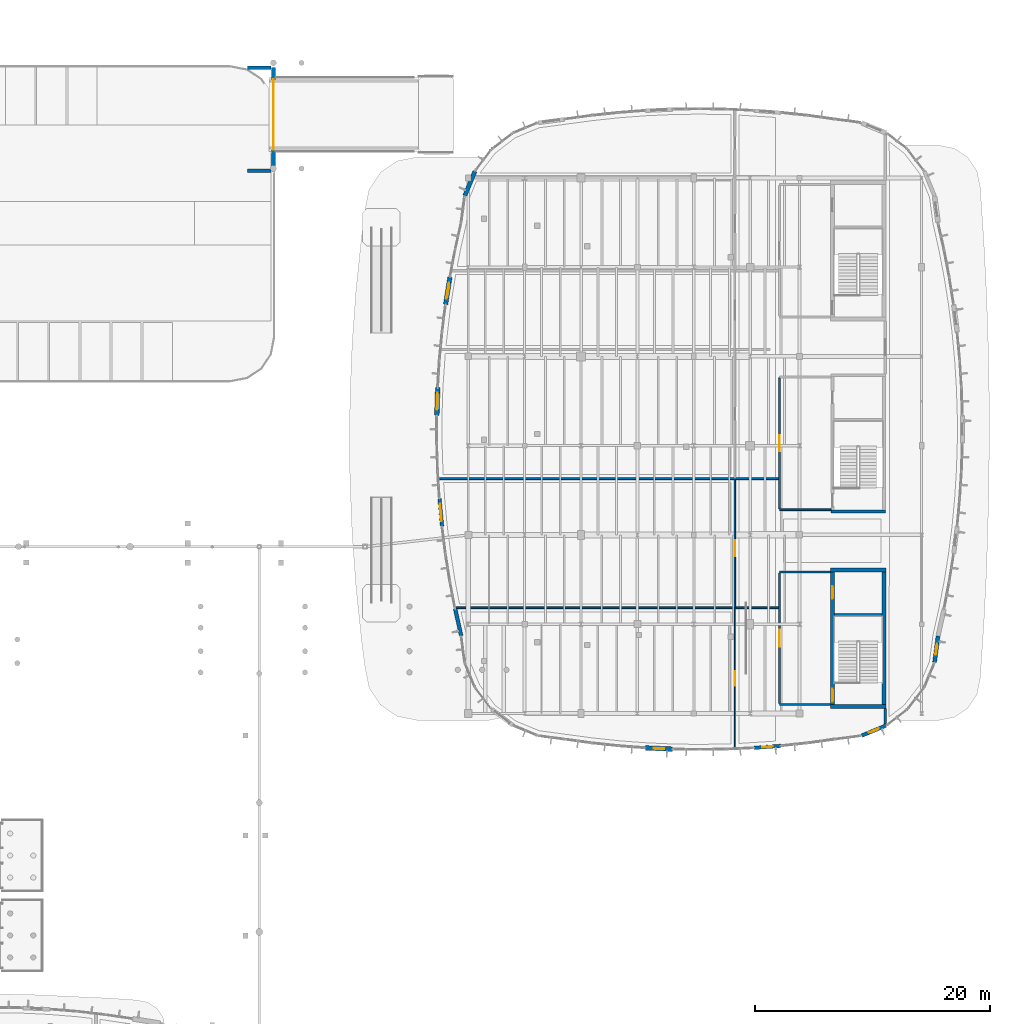
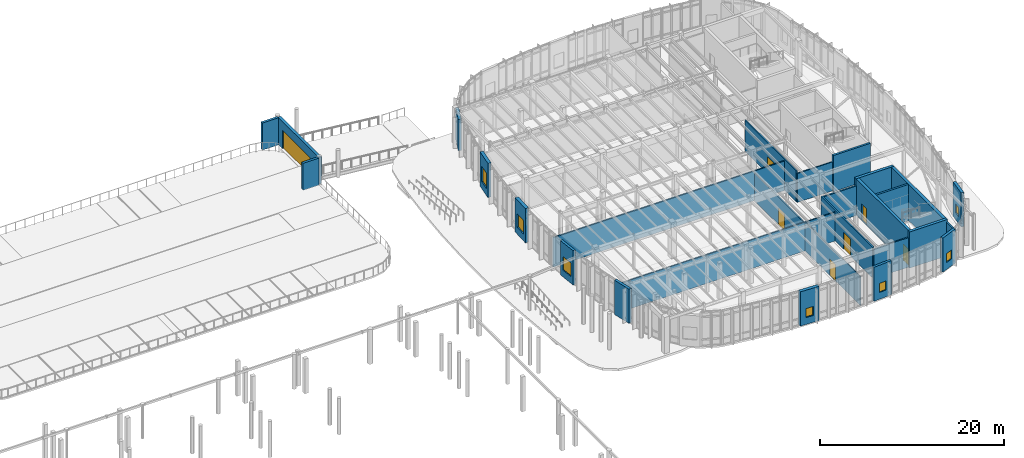
# One storey, part 93 of 120: 28 walls, 7 doors, 7 windows, 14 openings.
"""IFC4 building model written with IfcOpenShell, lengths in metres."""

import ifcopenshell
import ifcopenshell.guid

model = None  # the IFC model being written
_history = None  # IfcOwnerHistory: only IFC2X3 demands one
_inside = {}  # id of a spatial element -> (the spatial element, [elements in it])
_under = {}  # id of a project, library or spatial element -> (it, [spatial elements below it])
_declared = {}  # id of a project -> (the project, [libraries it declares])
_typed = {}  # id of a type object -> (the type object, [elements of that type])
_made_of = {}  # id of a material, layer set ... -> (it, [elements and type objects made of it])


def new_model(schema):
    """Start an empty IFC model of exactly this schema.

    Asked for "IFC4X3", IfcOpenShell would pick the latest addendum, in which some entities
    have other attributes; the version numbers below select the first issue.
    IFC2X3 requires an IfcOwnerHistory on every rooted entity: one is made here for all.
    """
    global model, _history
    if schema == "IFC4X3":
        model = ifcopenshell.file(schema_version=(4, 3, 0, 0))
    else:
        model = ifcopenshell.file(schema=schema)
    _inside.clear()
    _under.clear()
    _declared.clear()
    _typed.clear()
    _made_of.clear()
    _history = None
    if model.schema == "IFC2X3":
        org = make("IfcOrganization", Name="unknown")
        user = make(
            "IfcPersonAndOrganization",
            ThePerson=make("IfcPerson", FamilyName="unknown"),
            TheOrganization=org,
        )
        app = make(
            "IfcApplication",
            ApplicationDeveloper=org,
            Version="unknown",
            ApplicationFullName="unknown",
            ApplicationIdentifier="unknown",
        )
        _history = make(
            "IfcOwnerHistory",
            OwningUser=user,
            OwningApplication=app,
            ChangeAction="ADDED",
            CreationDate=0,
        )
    return model


def make(cls, **values):
    """One entity of the class cls with the attributes given. An attribute that is None is left unset."""
    return model.create_entity(
        cls, **{name: value for name, value in values.items() if value is not None}
    )


def rooted(cls, **values):
    """An entity with a GlobalId (a new one), such as an element, a storey or a relation."""
    return make(cls, GlobalId=ifcopenshell.guid.new(), OwnerHistory=_history, **values)


def si_unit(unit_type, name, prefix=None):
    """IfcSIUnit, for example si_unit("LENGTHUNIT", "METRE", prefix="MILLI")."""
    return make("IfcSIUnit", UnitType=unit_type, Prefix=prefix, Name=name)


def assignment(units):
    """IfcUnitAssignment: the units of a project."""
    return None if units is None else make("IfcUnitAssignment", Units=units)


def point(xyz):
    """IfcCartesianPoint."""
    return None if xyz is None else make("IfcCartesianPoint", Coordinates=xyz)


def direction(xyz):
    """IfcDirection."""
    return None if xyz is None else make("IfcDirection", DirectionRatios=xyz)


def frame(location, z_axis=None, x_axis=None):
    """IfcAxis2Placement3D, a coordinate frame: its origin and axes. An axis left out is left unset."""
    return make(
        "IfcAxis2Placement3D",
        Location=point(location),
        Axis=direction(z_axis),
        RefDirection=direction(x_axis),
    )


def frame_2d(location, x_axis=None):
    """IfcAxis2Placement2D, a coordinate frame in the plane: its origin and x axis."""
    return make(
        "IfcAxis2Placement2D", Location=point(location), RefDirection=direction(x_axis)
    )


def origin():
    """The frame at (0, 0, 0) with its axes left unset."""
    return frame((0.0, 0.0, 0.0))


def place(relative_to, where):
    """IfcLocalPlacement: puts the frame where relative to a parent placement (None: the world)."""
    return make(
        "IfcLocalPlacement", PlacementRelTo=relative_to, RelativePlacement=where
    )


def context(
    kind, dimensions, precision=None, world=None, true_north=None, identifier=None
):
    """IfcGeometricRepresentationContext, for example the 3D "Model" context."""
    return make(
        "IfcGeometricRepresentationContext",
        ContextIdentifier=identifier,
        ContextType=kind,
        CoordinateSpaceDimension=dimensions,
        Precision=precision,
        WorldCoordinateSystem=world,
        TrueNorth=true_north,
    )


def subcontext(parent, identifier, kind, view, scale=None):
    """IfcGeometricRepresentationSubContext, for example "Body" below "Model"."""
    return make(
        "IfcGeometricRepresentationSubContext",
        ContextIdentifier=identifier,
        ContextType=kind,
        ParentContext=parent,
        TargetScale=scale,
        TargetView=view,
    )


def project(units=None, contexts=None):
    """IfcProject with its units and contexts."""
    return rooted(
        "IfcProject",
        Name="project",
        RepresentationContexts=contexts,
        UnitsInContext=assignment(units),
    )


def spatial(cls, under=None, at=None, **own):
    """A site, building, storey or space (cls), placed at a placement, below another one or the project."""
    s = rooted(cls, ObjectPlacement=at, **own)
    if under is not None:
        _under.setdefault(under.id(), (under, []))[1].append(s)
    return s


def profile(cls, at=None, kind="AREA", **sizes):
    """A parametric profile (cls). Its sizes go by their IFC names, for example OverallWidth=200.0."""
    return make(cls, ProfileType=kind, Position=at, **sizes)


def rectangle(**sizes):
    """IfcRectangleProfileDef."""
    return profile("IfcRectangleProfileDef", **sizes)


def extrude(swept, where, along, depth):
    """IfcExtrudedAreaSolid: the profile swept, set in the frame where, extruded along a direction by depth."""
    return make(
        "IfcExtrudedAreaSolid",
        SweptArea=swept,
        Position=where,
        ExtrudedDirection=direction(along),
        Depth=depth,
    )


def shape(context_of_items, identifier, shape_type, items):
    """IfcShapeRepresentation: the items that make up one representation, for example the "Body"."""
    return make(
        "IfcShapeRepresentation",
        ContextOfItems=context_of_items,
        RepresentationIdentifier=identifier,
        RepresentationType=shape_type,
        Items=items,
    )


def material(Name=None, Category=None):
    """IfcMaterial."""
    return make("IfcMaterial", Name=Name, Category=Category)


def layer(
    of_material, thickness, ventilated=None, Name=None, Category=None, Priority=None
):
    """IfcMaterialLayer: one layer of a wall or slab, of a material (None: an air gap)."""
    return make(
        "IfcMaterialLayer",
        Material=of_material,
        LayerThickness=thickness,
        IsVentilated=ventilated,
        Name=Name,
        Category=Category,
        Priority=Priority,
    )


def layer_set(layers, Name=None):
    """IfcMaterialLayerSet."""
    return make("IfcMaterialLayerSet", MaterialLayers=layers, LayerSetName=Name)


def made_of(thing, what):
    """Note that an element or type object is made of a material, layer set ...; save() writes the relation."""
    if what is not None:
        _made_of.setdefault(what.id(), (what, []))[1].append(thing)
    return thing


def type_object(cls, material=None, **own):
    """A type object (cls), such as IfcWallType, which elements share."""
    return made_of(rooted(cls, **own), material)


def element(
    cls,
    number,
    at=None,
    inside=None,
    cuts=None,
    type_object=None,
    material=None,
    context=None,
    identifier="Body",
    shape_type=None,
    held_by="IfcProductDefinitionShape",
    body=None,
    shapes=None,
    **own,
):
    """One element of the class cls, such as IfcWall. Its Tag is "e" and its number.

    at: its placement. inside: the storey or other place that contains it. cuts: it is an
    opening in that element (IfcRelVoidsElement). A single representation is given by context,
    identifier, shape_type and body (its items); several are given by shapes. held_by: the class
    of the entity that holds the representations. save() writes the other relations.
    """
    e = rooted(cls, Tag="e%d" % number, ObjectPlacement=at, **own)
    if body is not None:
        shapes = [shape(context, identifier, shape_type, body)]
    if shapes is not None:
        e.Representation = make(held_by, Representations=shapes)
    if inside is not None:
        _inside.setdefault(inside.id(), (inside, []))[1].append(e)
    if cuts is not None:
        rooted(
            "IfcRelVoidsElement", RelatingBuildingElement=cuts, RelatedOpeningElement=e
        )
    if type_object is not None:
        _typed.setdefault(type_object.id(), (type_object, []))[1].append(e)
    return made_of(e, material)


def fill(opening, filler):
    """IfcRelFillsElement: the door or window that sits in an opening."""
    return rooted(
        "IfcRelFillsElement",
        RelatingOpeningElement=opening,
        RelatedBuildingElement=filler,
    )


def aggregate(whole, parts):
    """IfcRelAggregates: a whole, such as a stair, and the parts it consists of."""
    return rooted("IfcRelAggregates", RelatingObject=whole, RelatedObjects=parts)


def save(model, path):
    """Write the relations noted so far, then the file.

    IfcRelAggregates (storeys below a building ...), IfcRelContainedInSpatialStructure (elements
    in a storey), IfcRelDefinesByType, IfcRelAssociatesMaterial and IfcRelDeclares: one each for
    every whole, place, type object, material and project.
    """
    for whole, parts in _under.values():
        aggregate(whole, parts)
    for where, things in _inside.values():
        rooted(
            "IfcRelContainedInSpatialStructure",
            RelatedElements=things,
            RelatingStructure=where,
        )
    for kind, things in _typed.values():
        rooted("IfcRelDefinesByType", RelatedObjects=things, RelatingType=kind)
    for what, things in _made_of.values():
        rooted("IfcRelAssociatesMaterial", RelatedObjects=things, RelatingMaterial=what)
    for by, libraries in _declared.values():
        rooted("IfcRelDeclares", RelatingContext=by, RelatedDefinitions=libraries)
    model.write(path)


model = new_model("IFC4")

# Units and contexts
model_context = context("Model", 3, precision=1e-05, world=origin(), true_north=direction((0.0, 1.0)))
body_context = subcontext(model_context, "Body", "Model", "MODEL_VIEW")
ifc_project = project(units=[si_unit("LENGTHUNIT", "METRE"), si_unit("AREAUNIT", "SQUARE_METRE"), si_unit("VOLUMEUNIT", "CUBIC_METRE"), si_unit("PLANEANGLEUNIT", "RADIAN"), si_unit("MASSUNIT", "GRAM", prefix="KILO")], contexts=[model_context])

# Site, building, storey
site_placement = place(None, origin())
site = spatial("IfcSite", under=ifc_project, at=site_placement, CompositionType="ELEMENT")
building_placement = place(site_placement, origin())
building = spatial("IfcBuilding", under=site, at=building_placement, Name="Corveleigh Park Community Centre", CompositionType="ELEMENT")
storey_placement = place(building_placement, origin())
storey = spatial("IfcBuildingStorey", under=building, at=storey_placement, Name="L00", CompositionType="ELEMENT", Elevation=0.0)

# Wall, opening, window
ifc_material_1 = material(Name="Precast concrete C40/50", Category="concrete")
ifc_layer_1 = layer(ifc_material_1, 0.300048828125, Name="Precast concrete C40/50", Category="concrete")
ifc_layer_set_1 = layer_set([ifc_layer_1], Name="Precast concrete C40/50")
wall_type_1 = type_object("IfcWallType", Name="WL-EXT-300", PredefinedType="STANDARD", material=ifc_layer_set_1)
wall_1_placement = place(storey_placement, frame((156.407958984375, 55.839111328125, 0.0), z_axis=(0.0, 0.0, 1.0), x_axis=(-0.997140376226, -0.075571622314, 0.0)))
wall_1 = element("IfcWall", 1, at=wall_1_placement, inside=storey, type_object=wall_type_1, Name="V4 L00 Precast Facade Wall", PredefinedType="STANDARD", context=body_context, shape_type="SweptSolid", body=[
    extrude(rectangle(XDim=2.29052734375, YDim=0.300048828125, at=frame_2d((1.145263671875, 0.0))), origin(), (0.0, 0.0, 1.0), 4.511962890625),
])
opening_1_placement = place(wall_1_placement, frame((0.696044921875, 0.0, 0.89990234375)))
opening_1 = element("IfcOpeningElement", 2, at=opening_1_placement, cuts=wall_1, Name="Opening W01", PredefinedType="OPENING", context=body_context, shape_type="SweptSolid", body=[
    extrude(rectangle(XDim=0.89990234375, YDim=1.199951171875, at=frame_2d((0.449951171875, 0.60009765625))), frame((0.0, 0.159912109375, 0.0), z_axis=(0.0, -1.0, 0.0), x_axis=(1.0, 0.0, 0.0)), (0.0, 0.0, 1.0), 0.320068359375),
])
ifc_material_2 = material(Name="Low-E double glazing", Category="glass")
window_type_1 = type_object("IfcWindowType", Name="WIN-EXT-0900x1200", PartitioningType="SINGLE_PANEL", PredefinedType="WINDOW", material=ifc_material_2)
window_1_placement = place(opening_1_placement, origin())
window_1 = element("IfcWindow", 3, at=window_1_placement, inside=storey, type_object=window_type_1, Name="V4 L00 Window 22", OverallHeight=1.199951171875, OverallWidth=0.89990234375, PartitioningType="SINGLE_PANEL", PredefinedType="WINDOW", context=body_context, shape_type="SweptSolid", body=[
    extrude(rectangle(XDim=0.89990234375, YDim=1.199951171875, at=frame_2d((0.449951171875, 0.60009765625))), frame((0.0, 0.030029296875, 0.0), z_axis=(0.0, -1.0, 0.0), x_axis=(1.0, 0.0, 0.0)), (0.0, 0.0, 1.0), 0.06005859375),
])
fill(opening_1, window_1)

wall_2_placement = place(storey_placement, frame((127.568115234375, 74.535888671875, 0.0), z_axis=(0.0, 0.0, 1.0), x_axis=(-0.094103241966, 0.995562443974, 0.0)))
wall_2 = element("IfcWall", 4, at=wall_2_placement, inside=storey, type_object=wall_type_1, Name="V4 L00 Precast Facade Wall", PredefinedType="STANDARD", context=body_context, shape_type="SweptSolid", body=[
    extrude(rectangle(XDim=2.3505859375, YDim=0.300048828125, at=frame_2d((1.17529296875, 0.0))), origin(), (0.0, 0.0, 1.0), 4.537109375),
])
opening_2_placement = place(wall_2_placement, frame((0.425048828125, 0.0, 0.89990234375)))
opening_2 = element("IfcOpeningElement", 5, at=opening_2_placement, cuts=wall_2, Name="Opening W11", PredefinedType="OPENING", context=body_context, shape_type="SweptSolid", body=[
    extrude(rectangle(XDim=1.5, YDim=1.800048828125, at=frame_2d((0.75, 0.89990234375))), frame((0.0, 0.159912109375, 0.0), z_axis=(0.0, -1.0, 0.0), x_axis=(1.0, 0.0, 0.0)), (0.0, 0.0, 1.0), 0.320068359375),
])
window_type_2 = type_object("IfcWindowType", Name="WIN-EXT-1500x1800", PartitioningType="SINGLE_PANEL", PredefinedType="WINDOW", material=ifc_material_2)
window_2_placement = place(opening_2_placement, origin())
window_2 = element("IfcWindow", 6, at=window_2_placement, inside=storey, type_object=window_type_2, Name="V4 L00 Window 35", OverallHeight=1.800048828125, OverallWidth=1.5, PartitioningType="SINGLE_PANEL", PredefinedType="WINDOW", context=body_context, shape_type="SweptSolid", body=[
    extrude(rectangle(XDim=1.5, YDim=1.800048828125, at=frame_2d((0.75, 0.89990234375))), frame((0.0, 0.030029296875, 0.0), z_axis=(0.0, -1.0, 0.0), x_axis=(1.0, 0.0, 0.0)), (0.0, 0.0, 1.0), 0.06005859375),
])
fill(opening_2, window_2)

# Walls
for number, where, z_axis, x_axis, name in (
    (7, (111.0, 113.60009765625, 0.0), (0.0, 0.0, 1.0), (1.0, 0.0, 0.0), "Car Park Portal North Return Wall"),
    (8, (113.0, 104.800048828125, 0.0), (0.0, 0.0, 1.0), (-1.0, 0.0, 0.0), "Car Park Portal South Return Wall"),
):
    element("IfcWall", number, at=place(storey_placement, frame(where, z_axis=z_axis, x_axis=x_axis)), inside=storey, type_object=wall_type_1, Name=name, PredefinedType="STANDARD", context=body_context, shape_type="SweptSolid", body=[
        extrude(rectangle(XDim=2.0, YDim=0.300048828125, at=frame_2d((1.0, 0.0))), origin(), (0.0, 0.0, 1.0), 3.580078125),
    ])

# Wall, opening, window
ifc_layer_2 = layer(ifc_material_1, 0.320068359375, Name="Precast concrete C40/50", Category="concrete")
ifc_layer_set_2 = layer_set([ifc_layer_2], Name="Precast concrete C40/50")
wall_type_2 = type_object("IfcWallType", Name="WL-EXT-320", PredefinedType="STANDARD", material=ifc_layer_set_2)
wall_3_placement = place(storey_placement, frame((165.3701171875, 57.56689453125, 0.0), z_axis=(0.0, 0.0, 1.0), x_axis=(-0.923742113572, -0.3830150227, 0.0)))
wall_3 = element("IfcWall", 9, at=wall_3_placement, inside=storey, type_object=wall_type_2, Name="V4 L00 Precast Facade Wall", PredefinedType="STANDARD", context=body_context, shape_type="SweptSolid", body=[
    extrude(rectangle(XDim=2.232177734375, YDim=0.320068359375, at=frame_2d((1.1162109375, 0.0))), origin(), (0.0, 0.0, 1.0), 4.511962890625),
])
opening_3_placement = place(wall_3_placement, frame((0.666015625, 0.0, 0.89990234375)))
opening_3 = element("IfcOpeningElement", 10, at=opening_3_placement, cuts=wall_3, Name="Opening W01", PredefinedType="OPENING", context=body_context, shape_type="SweptSolid", body=[
    extrude(rectangle(XDim=0.89990234375, YDim=1.199951171875, at=frame_2d((0.449951171875, 0.60009765625))), frame((0.0, 0.169921875, 0.0), z_axis=(0.0, -1.0, 0.0), x_axis=(1.0, 0.0, 0.0)), (0.0, 0.0, 1.0), 0.340087890625),
])
window_3_placement = place(opening_3_placement, origin())
window_3 = element("IfcWindow", 11, at=window_3_placement, inside=storey, type_object=window_type_1, Name="V4 L00 Window 23", OverallHeight=1.199951171875, OverallWidth=0.89990234375, PartitioningType="SINGLE_PANEL", PredefinedType="WINDOW", context=body_context, shape_type="SweptSolid", body=[
    extrude(rectangle(XDim=0.89990234375, YDim=1.199951171875, at=frame_2d((0.449951171875, 0.60009765625))), frame((0.0, 0.030029296875, 0.0), z_axis=(0.0, -1.0, 0.0), x_axis=(1.0, 0.0, 0.0)), (0.0, 0.0, 1.0), 0.06005859375),
])
fill(opening_3, window_3)

# Wall
wall_4_placement = place(storey_placement, frame((129.197021484375, 65.215087890625, 0.0), z_axis=(0.0, 0.0, 1.0), x_axis=(-0.218860234328, 0.975756218443, 0.0)))
element("IfcWall", 12, at=wall_4_placement, inside=storey, type_object=wall_type_2, Name="V4 L00 Precast Facade Wall", PredefinedType="STANDARD", context=body_context, shape_type="SweptSolid", body=[
    extrude(rectangle(XDim=2.34375, YDim=0.320068359375, at=frame_2d((1.171875, 0.0))), origin(), (0.0, 0.0, 1.0), 4.537109375),
])

# Wall, opening, window
ifc_layer_3 = layer(ifc_material_1, 0.340087890625, Name="Precast concrete C40/50", Category="concrete")
ifc_layer_set_3 = layer_set([ifc_layer_3], Name="Precast concrete C40/50")
wall_type_3 = type_object("IfcWallType", Name="WL-EXT-340", PredefinedType="STANDARD", material=ifc_layer_set_3)
wall_5_placement = place(storey_placement, frame((169.798095703125, 65.18505859375, 0.0), z_axis=(0.0, 0.0, 1.0), x_axis=(-0.130735158706, -0.99141732801, 0.0)))
wall_5 = element("IfcWall", 13, at=wall_5_placement, inside=storey, type_object=wall_type_3, Name="V4 L00 Precast Facade Wall", PredefinedType="STANDARD", context=body_context, shape_type="SweptSolid", body=[
    extrude(rectangle(XDim=2.250244140625, YDim=0.340087890625, at=frame_2d((1.125, 0.0))), origin(), (0.0, 0.0, 1.0), 4.527099609375),
])
opening_4_placement = place(wall_5_placement, frame((0.675048828125, 0.0, 0.89990234375)))
opening_4 = element("IfcOpeningElement", 14, at=opening_4_placement, cuts=wall_5, Name="Opening W01", PredefinedType="OPENING", context=body_context, shape_type="SweptSolid", body=[
    extrude(rectangle(XDim=0.89990234375, YDim=1.199951171875, at=frame_2d((0.449951171875, 0.60009765625))), frame((0.0, 0.179931640625, 0.0), z_axis=(0.0, -1.0, 0.0), x_axis=(1.0, 0.0, 0.0)), (0.0, 0.0, 1.0), 0.360107421875),
])
window_4_placement = place(opening_4_placement, origin())
window_4 = element("IfcWindow", 15, at=window_4_placement, inside=storey, type_object=window_type_1, Name="V4 L00 Window 24", OverallHeight=1.199951171875, OverallWidth=0.89990234375, PartitioningType="SINGLE_PANEL", PredefinedType="WINDOW", context=body_context, shape_type="SweptSolid", body=[
    extrude(rectangle(XDim=0.89990234375, YDim=1.199951171875, at=frame_2d((0.449951171875, 0.60009765625))), frame((0.0, 0.030029296875, 0.0), z_axis=(0.0, -1.0, 0.0), x_axis=(1.0, 0.0, 0.0)), (0.0, 0.0, 1.0), 0.06005859375),
])
fill(opening_4, window_4)

# Wall, opening, door
wall_6_placement = place(storey_placement, frame((113.199951171875, 113.60009765625, 0.0), z_axis=(0.0, 0.0, 1.0), x_axis=(0.0, -1.0, 0.0)))
wall_6 = element("IfcWall", 16, at=wall_6_placement, inside=storey, type_object=wall_type_3, Name="Car Park Street Entrance Portal Wall", PredefinedType="STANDARD", context=body_context, shape_type="SweptSolid", body=[
    extrude(rectangle(XDim=8.800048828125, YDim=0.340087890625, at=frame_2d((4.39990234375, 0.0))), origin(), (0.0, 0.0, 1.0), 3.580078125),
])
opening_5_placement = place(wall_6_placement, frame((1.0, 0.0, 0.0)))
opening_5 = element("IfcOpeningElement", 17, at=opening_5_placement, cuts=wall_6, Name="Opening VG01", PredefinedType="OPENING", context=body_context, shape_type="SweptSolid", body=[
    extrude(rectangle(XDim=6.0, YDim=2.39990234375, at=frame_2d((3.0, 1.199951171875))), frame((0.0, 0.179931640625, 0.0), z_axis=(0.0, -1.0, 0.0), x_axis=(1.0, 0.0, 0.0)), (0.0, 0.0, 1.0), 0.360107421875),
])
ifc_material_3 = material(Name="Powder-coated aluminium glazed door", Category="aluminium")
door_type_1 = type_object("IfcDoorType", Name="DR-GAT-6000x2400", OperationType="SLIDING_TO_LEFT", PredefinedType="DOOR", material=ifc_material_3)
door_1_placement = place(opening_5_placement, origin())
door_1 = element("IfcDoor", 18, at=door_1_placement, inside=storey, type_object=door_type_1, Name="Car Park Vehicle Entrance Gate", OperationType="SLIDING_TO_LEFT", OverallHeight=2.39990234375, OverallWidth=6.0, PredefinedType="DOOR", context=body_context, shape_type="SweptSolid", body=[
    extrude(rectangle(XDim=6.0, YDim=2.39990234375, at=frame_2d((3.0, 1.199951171875))), frame((0.0, 0.02490234375, 0.0), z_axis=(0.0, -1.0, 0.0), x_axis=(1.0, 0.0, 0.0)), (0.0, 0.0, 1.0), 0.050048828125),
])
fill(opening_5, door_1)

# Wall
ifc_layer_4 = layer(ifc_material_1, 0.360107421875, Name="Precast concrete C40/50", Category="concrete")
ifc_layer_set_4 = layer_set([ifc_layer_4], Name="Precast concrete C40/50")
wall_type_4 = type_object("IfcWallType", Name="WL-EXT-360", PredefinedType="STANDARD", material=ifc_layer_set_4)
wall_7_placement = place(storey_placement, frame((129.511962890625, 102.7080078125, 0.0), z_axis=(0.0, 0.0, 1.0), x_axis=(0.3830150227, 0.923742113572, 0.0)))
element("IfcWall", 19, at=wall_7_placement, inside=storey, type_object=wall_type_4, Name="V4 L00 Precast Facade Wall", PredefinedType="STANDARD", context=body_context, shape_type="SweptSolid", body=[
    extrude(rectangle(XDim=2.232177734375, YDim=0.360107421875, at=frame_2d((1.1162109375, 0.0))), origin(), (0.0, 0.0, 1.0), 4.125),
])

# Wall, opening, window
ifc_layer_5 = layer(ifc_material_1, 0.3798828125, Name="Precast concrete C40/50", Category="concrete")
ifc_layer_set_5 = layer_set([ifc_layer_5], Name="Precast concrete C40/50")
wall_type_5 = type_object("IfcWallType", Name="WL-EXT-380", PredefinedType="STANDARD", material=ifc_layer_set_5)
wall_8_placement = place(storey_placement, frame((127.867919921875, 93.431884765625, 0.0), z_axis=(0.0, 0.0, 1.0), x_axis=(0.157066693282, 0.987587998034, 0.0)))
wall_8 = element("IfcWall", 20, at=wall_8_placement, inside=storey, type_object=wall_type_5, Name="V4 L00 Precast Facade Wall", PredefinedType="STANDARD", context=body_context, shape_type="SweptSolid", body=[
    extrude(rectangle(XDim=2.35009765625, YDim=0.3798828125, at=frame_2d((1.175048828125, 0.0))), origin(), (0.0, 0.0, 1.0), 4.537109375),
])
opening_6_placement = place(wall_8_placement, frame((0.47509765625, 0.0, 0.89990234375)))
opening_6 = element("IfcOpeningElement", 21, at=opening_6_placement, cuts=wall_8, Name="Opening W09", PredefinedType="OPENING", context=body_context, shape_type="SweptSolid", body=[
    extrude(rectangle(XDim=1.39990234375, YDim=2.050048828125, at=frame_2d((0.699951171875, 1.02490234375))), frame((0.0, 0.199951171875, 0.0), z_axis=(0.0, -1.0, 0.0), x_axis=(1.0, 0.0, 0.0)), (0.0, 0.0, 1.0), 0.39990234375),
])
window_type_3 = type_object("IfcWindowType", Name="WIN-EXT-1400x2050", PartitioningType="SINGLE_PANEL", PredefinedType="WINDOW", material=ifc_material_2)
window_5_placement = place(opening_6_placement, origin())
window_5 = element("IfcWindow", 22, at=window_5_placement, inside=storey, type_object=window_type_3, Name="V4 L00 Window 33", OverallHeight=2.050048828125, OverallWidth=1.39990234375, PartitioningType="SINGLE_PANEL", PredefinedType="WINDOW", context=body_context, shape_type="SweptSolid", body=[
    extrude(rectangle(XDim=1.39990234375, YDim=2.050048828125, at=frame_2d((0.699951171875, 1.02490234375))), frame((0.0, 0.030029296875, 0.0), z_axis=(0.0, -1.0, 0.0), x_axis=(1.0, 0.0, 0.0)), (0.0, 0.0, 1.0), 0.06005859375),
])
fill(opening_6, window_5)

ifc_material_4 = material(Name="Concrete C40/50", Category="concrete")
ifc_layer_6 = layer(ifc_material_4, 0.39990234375, Name="Concrete C40/50", Category="concrete")
ifc_layer_set_6 = layer_set([ifc_layer_6], Name="Concrete C40/50")
wall_type_6 = type_object("IfcWallType", Name="WL-EXT-400", PredefinedType="STANDARD", material=ifc_layer_set_6)
wall_9_placement = place(storey_placement, frame((147.181884765625, 55.56005859375, 0.0), z_axis=(0.0, 0.0, 1.0), x_axis=(-0.998948885856, 0.045838013117, 0.0)))
wall_9 = element("IfcWall", 23, at=wall_9_placement, inside=storey, type_object=wall_type_6, Name="V4 L00 Precast Facade Wall", PredefinedType="STANDARD", context=body_context, shape_type="SweptSolid", body=[
    extrude(rectangle(XDim=2.290283203125, YDim=0.39990234375, at=frame_2d((1.14501953125, 0.0))), origin(), (0.0, 0.0, 1.0), 4.537109375),
])
opening_7_placement = place(wall_9_placement, frame((0.695068359375, 0.0, 0.89990234375)))
opening_7 = element("IfcOpeningElement", 24, at=opening_7_placement, cuts=wall_9, Name="Opening W01", PredefinedType="OPENING", context=body_context, shape_type="SweptSolid", body=[
    extrude(rectangle(XDim=0.89990234375, YDim=1.199951171875, at=frame_2d((0.449951171875, 0.60009765625))), frame((0.0, 0.2099609375, 0.0), z_axis=(0.0, -1.0, 0.0), x_axis=(1.0, 0.0, 0.0)), (0.0, 0.0, 1.0), 0.419921875),
])
window_6_placement = place(opening_7_placement, origin())
window_6 = element("IfcWindow", 25, at=window_6_placement, inside=storey, type_object=window_type_1, Name="V4 L00 Window 21", OverallHeight=1.199951171875, OverallWidth=0.89990234375, PartitioningType="SINGLE_PANEL", PredefinedType="WINDOW", context=body_context, shape_type="SweptSolid", body=[
    extrude(rectangle(XDim=0.89990234375, YDim=1.199951171875, at=frame_2d((0.449951171875, 0.60009765625))), frame((0.0, 0.030029296875, 0.0), z_axis=(0.0, -1.0, 0.0), x_axis=(1.0, 0.0, 0.0)), (0.0, 0.0, 1.0), 0.06005859375),
])
fill(opening_7, window_6)

wall_10_placement = place(storey_placement, frame((127.1220703125, 83.992919921875, 0.0), z_axis=(0.0, 0.0, 1.0), x_axis=(0.031876582845, 0.999491812606, 0.0)))
wall_10 = element("IfcWall", 26, at=wall_10_placement, inside=storey, type_object=wall_type_6, Name="V4 L00 Precast Facade Wall", PredefinedType="STANDARD", context=body_context, shape_type="SweptSolid", body=[
    extrude(rectangle(XDim=2.351318359375, YDim=0.39990234375, at=frame_2d((1.17578125, 0.0))), origin(), (0.0, 0.0, 1.0), 4.537109375),
])
opening_8_placement = place(wall_10_placement, frame((0.450927734375, 0.0, 0.89990234375)))
opening_8 = element("IfcOpeningElement", 27, at=opening_8_placement, cuts=wall_10, Name="Opening W10", PredefinedType="OPENING", context=body_context, shape_type="SweptSolid", body=[
    extrude(rectangle(XDim=1.449951171875, YDim=1.800048828125, at=frame_2d((0.72509765625, 0.89990234375))), frame((0.0, 0.2099609375, 0.0), z_axis=(0.0, -1.0, 0.0), x_axis=(1.0, 0.0, 0.0)), (0.0, 0.0, 1.0), 0.419921875),
])
window_type_4 = type_object("IfcWindowType", Name="WIN-EXT-1450x1800", PartitioningType="SINGLE_PANEL", PredefinedType="WINDOW", material=ifc_material_2)
window_7_placement = place(opening_8_placement, origin())
window_7 = element("IfcWindow", 28, at=window_7_placement, inside=storey, type_object=window_type_4, Name="V4 L00 Window 34", OverallHeight=1.800048828125, OverallWidth=1.449951171875, PartitioningType="SINGLE_PANEL", PredefinedType="WINDOW", context=body_context, shape_type="SweptSolid", body=[
    extrude(rectangle(XDim=1.449951171875, YDim=1.800048828125, at=frame_2d((0.72509765625, 0.89990234375))), frame((0.0, 0.030029296875, 0.0), z_axis=(0.0, -1.0, 0.0), x_axis=(1.0, 0.0, 0.0)), (0.0, 0.0, 1.0), 0.06005859375),
])
fill(opening_8, window_7)

# Wall, opening, door
ifc_material_5 = material(Name="Gypsum acoustic stud partition", Category="gypsum")
ifc_layer_7 = layer(ifc_material_5, 0.10009765625, Name="Gypsum acoustic stud partition", Category="gypsum")
ifc_layer_set_7 = layer_set([ifc_layer_7], Name="Gypsum acoustic stud partition")
wall_type_7 = type_object("IfcWallType", Name="WL-PRT-100", PredefinedType="PARTITIONING", material=ifc_layer_set_7)
wall_11_placement = place(storey_placement, frame((152.5, 67.60009765625, 0.0), z_axis=(0.0, 0.0, 1.0), x_axis=(0.0, -1.0, 0.0)))
wall_11 = element("IfcWall", 29, at=wall_11_placement, inside=storey, type_object=wall_type_7, Name="Early Years Babies Playroom corridor wall", PredefinedType="PARTITIONING", context=body_context, shape_type="SweptSolid", body=[
    extrude(rectangle(XDim=12.009033203125, YDim=0.10009765625, at=frame_2d((6.00439453125, 0.0))), origin(), (0.0, 0.0, 1.0), 3.8349609375),
])
opening_9_placement = place(wall_11_placement, frame((5.384033203125, 0.0, 0.0)))
opening_9 = element("IfcOpeningElement", 30, at=opening_9_placement, cuts=wall_11, Name="Opening ID04", PredefinedType="OPENING", context=body_context, shape_type="SweptSolid", body=[
    extrude(rectangle(XDim=1.239990234375, YDim=2.159912109375, at=frame_2d((0.6201171875, 1.080078125))), frame((0.0, 0.06005859375, 0.0), z_axis=(0.0, -1.0, 0.0), x_axis=(1.0, 0.0, 0.0)), (0.0, 0.0, 1.0), 0.1201171875),
])
ifc_material_6 = material(Name="Hardwood acoustic door leaf", Category="wood")
door_type_2 = type_object("IfcDoorType", Name="DR-INT-1240x2160", OperationType="NOTDEFINED", PredefinedType="DOOR", material=ifc_material_6)
door_2_placement = place(opening_9_placement, origin())
door_2 = element("IfcDoor", 31, at=door_2_placement, inside=storey, type_object=door_type_2, Name="Early Years Babies Playroom door", OperationType="SINGLE_SWING_LEFT", OverallHeight=2.159912109375, OverallWidth=1.239990234375, PredefinedType="DOOR", context=body_context, shape_type="SweptSolid", body=[
    extrude(rectangle(XDim=1.239990234375, YDim=2.159912109375, at=frame_2d((0.6201171875, 1.080078125))), frame((0.0, 0.02490234375, 0.0), z_axis=(0.0, -1.0, 0.0), x_axis=(1.0, 0.0, 0.0)), (0.0, 0.0, 1.0), 0.050048828125),
])
fill(opening_9, door_2)

ifc_layer_8 = layer(ifc_material_5, 0.114990234375, Name="Gypsum acoustic stud partition", Category="gypsum")
ifc_layer_set_8 = layer_set([ifc_layer_8], Name="Gypsum acoustic stud partition")
wall_type_8 = type_object("IfcWallType", Name="WL-PRT-115", PredefinedType="PARTITIONING", material=ifc_layer_set_8)
wall_12_placement = place(storey_placement, frame((152.5, 78.60009765625, 0.0), z_axis=(0.0, 0.0, 1.0), x_axis=(0.0, -1.0, 0.0)))
wall_12 = element("IfcWall", 32, at=wall_12_placement, inside=storey, type_object=wall_type_8, Name="Early Years Toddlers Playroom corridor wall", PredefinedType="PARTITIONING", context=body_context, shape_type="SweptSolid", body=[
    extrude(rectangle(XDim=11.0, YDim=0.114990234375, at=frame_2d((5.5, 0.0))), origin(), (0.0, 0.0, 1.0), 3.614990234375),
])
opening_10_placement = place(wall_12_placement, frame((5.25, 0.0, 0.0)))
opening_10 = element("IfcOpeningElement", 33, at=opening_10_placement, cuts=wall_12, Name="Opening FD02", PredefinedType="OPENING", context=body_context, shape_type="SweptSolid", body=[
    extrude(rectangle(XDim=1.3798828125, YDim=2.199951171875, at=frame_2d((0.68994140625, 1.10009765625))), frame((0.0, 0.0673828125, 0.0), z_axis=(0.0, -1.0, 0.0), x_axis=(1.0, 0.0, 0.0)), (0.0, 0.0, 1.0), 0.135009765625),
])
door_type_3 = type_object("IfcDoorType", Name="DR-FIR-1380x2200", OperationType="DOUBLE_DOOR_SINGLE_SWING", PredefinedType="DOOR", material=ifc_material_6)
door_3_placement = place(opening_10_placement, origin())
door_3 = element("IfcDoor", 34, at=door_3_placement, inside=storey, type_object=door_type_3, Name="Early Years Toddlers Playroom door", OperationType="DOUBLE_DOOR_SINGLE_SWING", OverallHeight=2.199951171875, OverallWidth=1.3798828125, PredefinedType="DOOR", context=body_context, shape_type="SweptSolid", body=[
    extrude(rectangle(XDim=1.3798828125, YDim=2.199951171875, at=frame_2d((0.68994140625, 1.10009765625))), frame((0.0, 0.02490234375, 0.0), z_axis=(0.0, -1.0, 0.0), x_axis=(1.0, 0.0, 0.0)), (0.0, 0.0, 1.0), 0.050048828125),
])
fill(opening_10, door_3)

# Wall
ifc_layer_9 = layer(ifc_material_5, 0.14990234375, Name="Gypsum acoustic stud partition", Category="gypsum")
ifc_layer_set_9 = layer_set([ifc_layer_9], Name="Gypsum acoustic stud partition")
wall_type_9 = type_object("IfcWallType", Name="WL-PRT-150", PredefinedType="PARTITIONING", material=ifc_layer_set_9)
wall_13_placement = place(storey_placement, frame((156.300048828125, 75.949951171875, 0.0), z_axis=(0.0, 0.0, 1.0), x_axis=(1.0, 0.0, 0.0)))
element("IfcWall", 35, at=wall_13_placement, inside=storey, type_object=wall_type_9, Name="CORE6 lobby south wall", PredefinedType="PARTITIONING", context=body_context, shape_type="SweptSolid", body=[
    extrude(rectangle(XDim=4.389892578125, YDim=0.14990234375, at=frame_2d((2.19482421875, 0.0))), origin(), (0.0, 0.0, 1.0), 3.8310546875),
])

# Wall, opening, door
wall_14_placement = place(storey_placement, frame((156.300048828125, 87.169921875, 0.0), z_axis=(0.0, 0.0, 1.0), x_axis=(0.0, -1.0, 0.0)))
wall_14 = element("IfcWall", 36, at=wall_14_placement, inside=storey, type_object=wall_type_9, Name="CORE6 lobby corridor wall", PredefinedType="PARTITIONING", context=body_context, shape_type="SweptSolid", body=[
    extrude(rectangle(XDim=11.139892578125, YDim=0.14990234375, at=frame_2d((5.56982421875, 0.0))), origin(), (0.0, 0.0, 1.0), 4.10205078125),
])
opening_11_placement = place(wall_14_placement, frame((4.8798828125, 0.0, 0.0)))
opening_11 = element("IfcOpeningElement", 37, at=opening_11_placement, cuts=wall_14, Name="Opening FD02", PredefinedType="OPENING", context=body_context, shape_type="SweptSolid", body=[
    extrude(rectangle(XDim=1.3798828125, YDim=2.199951171875, at=frame_2d((0.68994140625, 1.10009765625))), frame((0.0, 0.0849609375, 0.0), z_axis=(0.0, -1.0, 0.0), x_axis=(1.0, 0.0, 0.0)), (0.0, 0.0, 1.0), 0.169921875),
])
door_4_placement = place(opening_11_placement, origin())
door_4 = element("IfcDoor", 38, at=door_4_placement, inside=storey, type_object=door_type_3, Name="Lobby CORE6 corridor door L00", OperationType="DOUBLE_DOOR_SINGLE_SWING", OverallHeight=2.199951171875, OverallWidth=1.3798828125, PredefinedType="DOOR", context=body_context, shape_type="SweptSolid", body=[
    extrude(rectangle(XDim=1.3798828125, YDim=2.199951171875, at=frame_2d((0.68994140625, 1.10009765625))), frame((0.0, 0.02490234375, 0.0), z_axis=(0.0, -1.0, 0.0), x_axis=(1.0, 0.0, 0.0)), (0.0, 0.0, 1.0), 0.050048828125),
])
fill(opening_11, door_4)

# Walls
wall_15_placement = place(storey_placement, frame((128.6650390625, 67.60009765625, 0.0), z_axis=(0.0, 0.0, 1.0), x_axis=(1.0, 0.0, 0.0)))
element("IfcWall", 39, at=wall_15_placement, inside=storey, type_object=wall_type_9, Name="Early Years Babies Playroom partition", PredefinedType="PARTITIONING", context=body_context, shape_type="SweptSolid", body=[
    extrude(rectangle(XDim=27.556884765625, YDim=0.14990234375, at=frame_2d((13.7783203125, 0.0))), origin(), (0.0, 0.0, 1.0), 3.804931640625),
])
ifc_layer_10 = layer(ifc_material_5, 0.1650390625, Name="Gypsum acoustic stud partition", Category="gypsum")
ifc_layer_set_10 = layer_set([ifc_layer_10], Name="Gypsum acoustic stud partition")
wall_type_10 = type_object("IfcWallType", Name="WL-PRT-165", PredefinedType="PARTITIONING", material=ifc_layer_set_10)
wall_16_placement = place(storey_placement, frame((127.238037109375, 78.60009765625, 0.0), z_axis=(0.0, 0.0, 1.0), x_axis=(1.0, 0.0, 0.0)))
element("IfcWall", 40, at=wall_16_placement, inside=storey, type_object=wall_type_10, Name="Early Years Toddlers Playroom partition", PredefinedType="PARTITIONING", context=body_context, shape_type="SweptSolid", body=[
    extrude(rectangle(XDim=28.9990234375, YDim=0.1650390625, at=frame_2d((14.49951171875, 0.0))), origin(), (0.0, 0.0, 1.0), 3.903076171875),
])
ifc_layer_11 = layer(ifc_material_5, 0.179931640625, Name="Gypsum acoustic stud partition", Category="gypsum")
ifc_layer_set_11 = layer_set([ifc_layer_11], Name="Gypsum acoustic stud partition")
wall_type_11 = type_object("IfcWallType", Name="WL-PRT-180", PredefinedType="PARTITIONING", material=ifc_layer_set_11)
wall_17_placement = place(storey_placement, frame((156.300048828125, 59.35009765625, 0.0), z_axis=(0.0, 0.0, 1.0), x_axis=(1.0, 0.0, 0.0)))
element("IfcWall", 41, at=wall_17_placement, inside=storey, type_object=wall_type_11, Name="CORE1 lobby south wall", PredefinedType="PARTITIONING", context=body_context, shape_type="SweptSolid", body=[
    extrude(rectangle(XDim=4.33984375, YDim=0.179931640625, at=frame_2d((2.169921875, 0.0))), origin(), (0.0, 0.0, 1.0), 3.906982421875),
])
wall_18_placement = place(storey_placement, frame((160.639892578125, 70.64990234375, 0.0), z_axis=(0.0, 0.0, 1.0), x_axis=(-1.0, 0.0, 0.0)))
element("IfcWall", 42, at=wall_18_placement, inside=storey, type_object=wall_type_11, Name="CORE1 lobby north wall", PredefinedType="PARTITIONING", context=body_context, shape_type="SweptSolid", body=[
    extrude(rectangle(XDim=4.33984375, YDim=0.179931640625, at=frame_2d((2.169921875, 0.0))), origin(), (0.0, 0.0, 1.0), 3.903076171875),
])

# Wall, opening, door
wall_19_placement = place(storey_placement, frame((156.300048828125, 70.570068359375, 0.0), z_axis=(0.0, 0.0, 1.0), x_axis=(0.0, -1.0, 0.0)))
wall_19 = element("IfcWall", 43, at=wall_19_placement, inside=storey, type_object=wall_type_11, Name="CORE1 lobby corridor wall", PredefinedType="PARTITIONING", context=body_context, shape_type="SweptSolid", body=[
    extrude(rectangle(XDim=11.14013671875, YDim=0.179931640625, at=frame_2d((5.570068359375, 0.0))), origin(), (0.0, 0.0, 1.0), 4.054931640625),
])
opening_12_placement = place(wall_19_placement, frame((4.830078125, 0.0, 0.0)))
opening_12 = element("IfcOpeningElement", 44, at=opening_12_placement, cuts=wall_19, Name="Opening FD01", PredefinedType="OPENING", context=body_context, shape_type="SweptSolid", body=[
    extrude(rectangle(XDim=1.47998046875, YDim=2.219970703125, at=frame_2d((0.739990234375, 1.10986328125))), frame((0.0, 0.099853515625, 0.0), z_axis=(0.0, -1.0, 0.0), x_axis=(1.0, 0.0, 0.0)), (0.0, 0.0, 1.0), 0.199951171875),
])
door_type_4 = type_object("IfcDoorType", Name="DR-FIR-1480x2220", OperationType="DOUBLE_DOOR_SINGLE_SWING", PredefinedType="DOOR", material=ifc_material_6)
door_5_placement = place(opening_12_placement, origin())
door_5 = element("IfcDoor", 45, at=door_5_placement, inside=storey, type_object=door_type_4, Name="Lobby CORE1 corridor door L00", OperationType="DOUBLE_DOOR_SINGLE_SWING", OverallHeight=2.219970703125, OverallWidth=1.47998046875, PredefinedType="DOOR", context=body_context, shape_type="SweptSolid", body=[
    extrude(rectangle(XDim=1.47998046875, YDim=2.219970703125, at=frame_2d((0.739990234375, 1.10986328125))), frame((0.0, 0.02490234375, 0.0), z_axis=(0.0, -1.0, 0.0), x_axis=(1.0, 0.0, 0.0)), (0.0, 0.0, 1.0), 0.050048828125),
])
fill(opening_12, door_5)

# Walls
wall_20_placement = place(storey_placement, frame((165.300048828125, 57.697998046875, 0.0), z_axis=(0.0, 0.0, 1.0), x_axis=(0.0, 1.0, 0.0)))
element("IfcWall", 46, at=wall_20_placement, inside=storey, type_object=wall_type_11, Name="Parkside Civic Exhibition Gallery corridor wall", PredefinedType="PARTITIONING", context=body_context, shape_type="SweptSolid", body=[
    extrude(rectangle(XDim=1.339111328125, YDim=0.179931640625, at=frame_2d((0.66943359375, 0.0))), origin(), (0.0, 0.0, 1.0), 4.527099609375),
])
ifc_layer_12 = layer(ifc_material_4, 0.25, Name="Concrete C40/50", Category="concrete")
ifc_layer_set_12 = layer_set([ifc_layer_12], Name="Concrete C40/50")
wall_type_12 = type_object("IfcWallType", Name="WL-SHR-250", PredefinedType="SHEAR", material=ifc_layer_set_12)
wall_21_placement = place(storey_placement, frame((160.97509765625, 67.0, 0.0), z_axis=(0.0, 0.0, 1.0), x_axis=(1.0, 0.0, 0.0)))
element("IfcWall", 47, at=wall_21_placement, inside=storey, type_object=wall_type_12, Name="CORE1 shaft wall", PredefinedType="SHEAR", context=body_context, shape_type="SweptSolid", body=[
    extrude(rectangle(XDim=4.0498046875, YDim=0.25, at=frame_2d((2.02490234375, 0.0))), origin(), (0.0, 0.0, 1.0), 4.800048828125),
])
wall_22_placement = place(storey_placement, frame((160.675048828125, 75.800048828125, 0.0), z_axis=(0.0, 0.0, 1.0), x_axis=(1.0, 0.0, 0.0)))
element("IfcWall", 48, at=wall_22_placement, inside=storey, type_object=wall_type_12, Name="CORE6 south shear wall", PredefinedType="SHEAR", context=body_context, shape_type="SweptSolid", body=[
    extrude(rectangle(XDim=4.64990234375, YDim=0.25, at=frame_2d((2.324951171875, 0.0))), origin(), (0.0, 0.0, 1.0), 4.800048828125),
])
ifc_layer_13 = layer(ifc_material_4, 0.35009765625, Name="Concrete C40/50", Category="concrete")
ifc_layer_set_13 = layer_set([ifc_layer_13], Name="Concrete C40/50")
wall_type_13 = type_object("IfcWallType", Name="WL-SHR-350", PredefinedType="SHEAR", material=ifc_layer_set_13)
wall_23_placement = place(storey_placement, frame((160.625, 59.199951171875, 0.0), z_axis=(0.0, 0.0, 1.0), x_axis=(1.0, 0.0, 0.0)))
element("IfcWall", 49, at=wall_23_placement, inside=storey, type_object=wall_type_13, Name="CORE1 south shear wall", PredefinedType="SHEAR", context=body_context, shape_type="SweptSolid", body=[
    extrude(rectangle(XDim=4.75, YDim=0.35009765625, at=frame_2d((2.375, 0.0))), origin(), (0.0, 0.0, 1.0), 4.800048828125),
])
wall_24_placement = place(storey_placement, frame((165.199951171875, 59.375, 0.0), z_axis=(0.0, 0.0, 1.0), x_axis=(0.0, 1.0, 0.0)))
element("IfcWall", 50, at=wall_24_placement, inside=storey, type_object=wall_type_13, Name="CORE1 east shear wall", PredefinedType="SHEAR", context=body_context, shape_type="SweptSolid", body=[
    extrude(rectangle(XDim=11.25, YDim=0.35009765625, at=frame_2d((5.625, 0.0))), origin(), (0.0, 0.0, 1.0), 4.800048828125),
])
wall_25_placement = place(storey_placement, frame((165.375, 70.800048828125, 0.0), z_axis=(0.0, 0.0, 1.0), x_axis=(-1.0, 0.0, 0.0)))
element("IfcWall", 51, at=wall_25_placement, inside=storey, type_object=wall_type_13, Name="CORE1 north shear wall", PredefinedType="SHEAR", context=body_context, shape_type="SweptSolid", body=[
    extrude(rectangle(XDim=4.75, YDim=0.35009765625, at=frame_2d((2.375, 0.0))), origin(), (0.0, 0.0, 1.0), 4.800048828125),
])

# Wall, openings, doors
wall_26_placement = place(storey_placement, frame((160.800048828125, 70.625, 0.0), z_axis=(0.0, 0.0, 1.0), x_axis=(0.0, -1.0, 0.0)))
wall_26 = element("IfcWall", 52, at=wall_26_placement, inside=storey, type_object=wall_type_13, Name="CORE1 west lobby wall", PredefinedType="SHEAR", context=body_context, shape_type="SweptSolid", body=[
    extrude(rectangle(XDim=11.25, YDim=0.35009765625, at=frame_2d((5.625, 0.0))), origin(), (0.0, 0.0, 1.0), 4.800048828125),
])
opening_13_placement = place(wall_26_placement, frame((1.175048828125, 0.0, 0.0)))
opening_13 = element("IfcOpeningElement", 53, at=opening_13_placement, cuts=wall_26, Name="Opening LD01", PredefinedType="OPENING", context=body_context, shape_type="SweptSolid", body=[
    extrude(rectangle(XDim=1.10009765625, YDim=2.199951171875, at=frame_2d((0.550048828125, 1.10009765625))), frame((0.0, 0.18505859375, 0.0), z_axis=(0.0, -1.0, 0.0), x_axis=(1.0, 0.0, 0.0)), (0.0, 0.0, 1.0), 0.3701171875),
])
opening_14_placement = place(wall_26_placement, frame((9.9150390625, 0.0, 0.0)))
opening_14 = element("IfcOpeningElement", 54, at=opening_14_placement, cuts=wall_26, Name="Opening FD03", PredefinedType="OPENING", context=body_context, shape_type="SweptSolid", body=[
    extrude(rectangle(XDim=1.1201171875, YDim=2.159912109375, at=frame_2d((0.56005859375, 1.080078125))), frame((0.0, 0.18505859375, 0.0), z_axis=(0.0, -1.0, 0.0), x_axis=(1.0, 0.0, 0.0)), (0.0, 0.0, 1.0), 0.3701171875),
])
door_type_5 = type_object("IfcDoorType", Name="DR-FIR-1120x2160", OperationType="NOTDEFINED", PredefinedType="DOOR", material=ifc_material_6)
door_6_placement = place(opening_14_placement, origin())
door_6 = element("IfcDoor", 55, at=door_6_placement, inside=storey, type_object=door_type_5, Name="Stair ST1 fire door L00", OperationType="SINGLE_SWING_RIGHT", OverallHeight=2.159912109375, OverallWidth=1.1201171875, PredefinedType="DOOR", context=body_context, shape_type="SweptSolid", body=[
    extrude(rectangle(XDim=1.1201171875, YDim=2.159912109375, at=frame_2d((0.56005859375, 1.080078125))), frame((0.0, 0.02490234375, 0.0), z_axis=(0.0, -1.0, 0.0), x_axis=(1.0, 0.0, 0.0)), (0.0, 0.0, 1.0), 0.050048828125),
])
fill(opening_14, door_6)
ifc_material_7 = material(Name="Brushed stainless steel lift car", Category="steel")
door_type_6 = type_object("IfcDoorType", Name="DR-LFT-1100x2200", OperationType="DOUBLE_DOOR_SLIDING", PredefinedType="DOOR", material=ifc_material_7)
door_7_placement = place(opening_13_placement, origin())
door_7 = element("IfcDoor", 56, at=door_7_placement, inside=storey, type_object=door_type_6, Name="Lift FL1 landing door L00", OperationType="DOUBLE_DOOR_SLIDING", OverallHeight=2.199951171875, OverallWidth=1.10009765625, PredefinedType="DOOR", context=body_context, shape_type="SweptSolid", body=[
    extrude(rectangle(XDim=1.10009765625, YDim=2.199951171875, at=frame_2d((0.550048828125, 1.10009765625))), frame((0.0, 0.02490234375, 0.0), z_axis=(0.0, -1.0, 0.0), x_axis=(1.0, 0.0, 0.0)), (0.0, 0.0, 1.0), 0.050048828125),
])
fill(opening_13, door_7)

save(model, "model.ifc")
